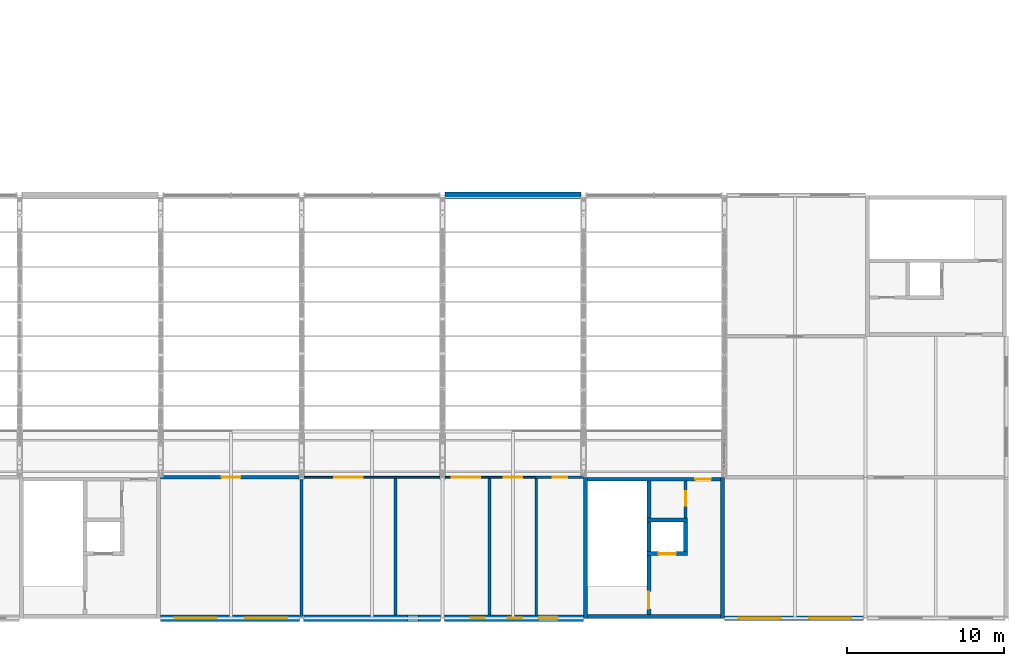
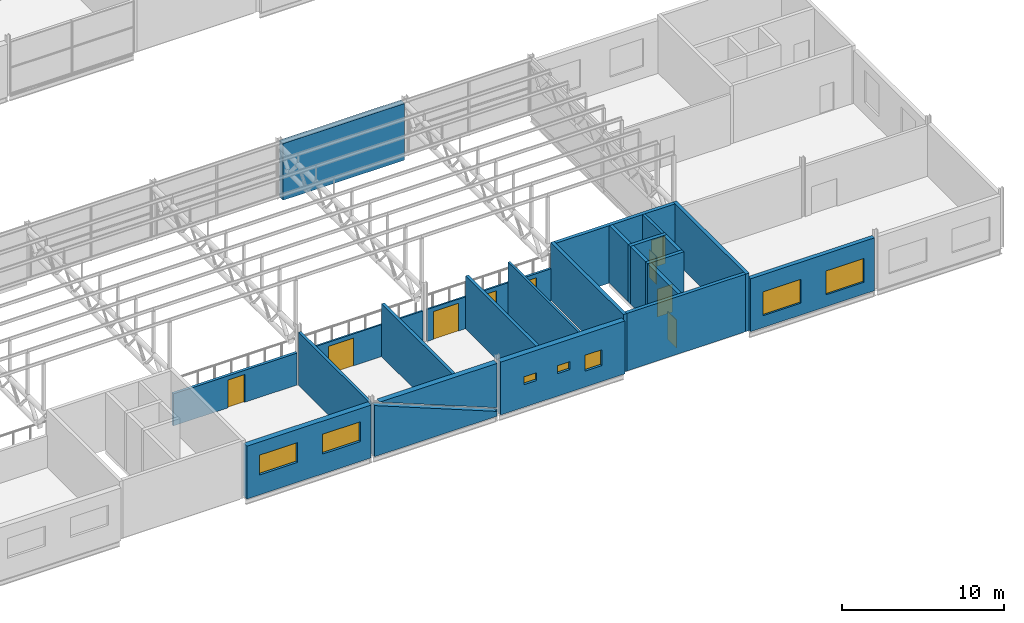
# One storey, part 126 of 138: 23 walls, 9 doors, 7 windows, 16 openings.
"""IFC4 building model written with IfcOpenShell, lengths in metres."""

import ifcopenshell
import ifcopenshell.guid

model = None  # the IFC model being written
_history = None  # IfcOwnerHistory: only IFC2X3 demands one
_inside = {}  # id of a spatial element -> (the spatial element, [elements in it])
_under = {}  # id of a project, library or spatial element -> (it, [spatial elements below it])
_declared = {}  # id of a project -> (the project, [libraries it declares])
_typed = {}  # id of a type object -> (the type object, [elements of that type])
_made_of = {}  # id of a material, layer set ... -> (it, [elements and type objects made of it])


def new_model(schema):
    """Start an empty IFC model of exactly this schema.

    Asked for "IFC4X3", IfcOpenShell would pick the latest addendum, in which some entities
    have other attributes; the version numbers below select the first issue.
    IFC2X3 requires an IfcOwnerHistory on every rooted entity: one is made here for all.
    """
    global model, _history
    if schema == "IFC4X3":
        model = ifcopenshell.file(schema_version=(4, 3, 0, 0))
    else:
        model = ifcopenshell.file(schema=schema)
    _inside.clear()
    _under.clear()
    _declared.clear()
    _typed.clear()
    _made_of.clear()
    _history = None
    if model.schema == "IFC2X3":
        org = make("IfcOrganization", Name="unknown")
        user = make(
            "IfcPersonAndOrganization",
            ThePerson=make("IfcPerson", FamilyName="unknown"),
            TheOrganization=org,
        )
        app = make(
            "IfcApplication",
            ApplicationDeveloper=org,
            Version="unknown",
            ApplicationFullName="unknown",
            ApplicationIdentifier="unknown",
        )
        _history = make(
            "IfcOwnerHistory",
            OwningUser=user,
            OwningApplication=app,
            ChangeAction="ADDED",
            CreationDate=0,
        )
    return model


def make(cls, **values):
    """One entity of the class cls with the attributes given. An attribute that is None is left unset."""
    return model.create_entity(
        cls, **{name: value for name, value in values.items() if value is not None}
    )


def rooted(cls, **values):
    """An entity with a GlobalId (a new one), such as an element, a storey or a relation."""
    return make(cls, GlobalId=ifcopenshell.guid.new(), OwnerHistory=_history, **values)


def si_unit(unit_type, name, prefix=None):
    """IfcSIUnit, for example si_unit("LENGTHUNIT", "METRE", prefix="MILLI")."""
    return make("IfcSIUnit", UnitType=unit_type, Prefix=prefix, Name=name)


def assignment(units):
    """IfcUnitAssignment: the units of a project."""
    return None if units is None else make("IfcUnitAssignment", Units=units)


def point(xyz):
    """IfcCartesianPoint."""
    return None if xyz is None else make("IfcCartesianPoint", Coordinates=xyz)


def direction(xyz):
    """IfcDirection."""
    return None if xyz is None else make("IfcDirection", DirectionRatios=xyz)


def frame(location, z_axis=None, x_axis=None):
    """IfcAxis2Placement3D, a coordinate frame: its origin and axes. An axis left out is left unset."""
    return make(
        "IfcAxis2Placement3D",
        Location=point(location),
        Axis=direction(z_axis),
        RefDirection=direction(x_axis),
    )


def frame_2d(location, x_axis=None):
    """IfcAxis2Placement2D, a coordinate frame in the plane: its origin and x axis."""
    return make(
        "IfcAxis2Placement2D", Location=point(location), RefDirection=direction(x_axis)
    )


def origin():
    """The frame at (0, 0, 0) with its axes left unset."""
    return frame((0.0, 0.0, 0.0))


def place(relative_to, where):
    """IfcLocalPlacement: puts the frame where relative to a parent placement (None: the world)."""
    return make(
        "IfcLocalPlacement", PlacementRelTo=relative_to, RelativePlacement=where
    )


def context(
    kind, dimensions, precision=None, world=None, true_north=None, identifier=None
):
    """IfcGeometricRepresentationContext, for example the 3D "Model" context."""
    return make(
        "IfcGeometricRepresentationContext",
        ContextIdentifier=identifier,
        ContextType=kind,
        CoordinateSpaceDimension=dimensions,
        Precision=precision,
        WorldCoordinateSystem=world,
        TrueNorth=true_north,
    )


def subcontext(parent, identifier, kind, view, scale=None):
    """IfcGeometricRepresentationSubContext, for example "Body" below "Model"."""
    return make(
        "IfcGeometricRepresentationSubContext",
        ContextIdentifier=identifier,
        ContextType=kind,
        ParentContext=parent,
        TargetScale=scale,
        TargetView=view,
    )


def project(units=None, contexts=None):
    """IfcProject with its units and contexts."""
    return rooted(
        "IfcProject",
        Name="project",
        RepresentationContexts=contexts,
        UnitsInContext=assignment(units),
    )


def spatial(cls, under=None, at=None, **own):
    """A site, building, storey or space (cls), placed at a placement, below another one or the project."""
    s = rooted(cls, ObjectPlacement=at, **own)
    if under is not None:
        _under.setdefault(under.id(), (under, []))[1].append(s)
    return s


def polyline(points):
    """IfcPolyline through the points."""
    return make("IfcPolyline", Points=[point(p) for p in points])


def profile(cls, at=None, kind="AREA", **sizes):
    """A parametric profile (cls). Its sizes go by their IFC names, for example OverallWidth=200.0."""
    return make(cls, ProfileType=kind, Position=at, **sizes)


def rectangle(**sizes):
    """IfcRectangleProfileDef."""
    return profile("IfcRectangleProfileDef", **sizes)


def outline(outer, holes=None, kind="AREA"):
    """IfcArbitraryClosedProfileDef: a profile drawn as a closed curve; with holes, ...WithVoids."""
    if holes is None:
        return make("IfcArbitraryClosedProfileDef", ProfileType=kind, OuterCurve=outer)
    return make(
        "IfcArbitraryProfileDefWithVoids",
        ProfileType=kind,
        OuterCurve=outer,
        InnerCurves=holes,
    )


def extrude(swept, where, along, depth):
    """IfcExtrudedAreaSolid: the profile swept, set in the frame where, extruded along a direction by depth."""
    return make(
        "IfcExtrudedAreaSolid",
        SweptArea=swept,
        Position=where,
        ExtrudedDirection=direction(along),
        Depth=depth,
    )


def shape(context_of_items, identifier, shape_type, items):
    """IfcShapeRepresentation: the items that make up one representation, for example the "Body"."""
    return make(
        "IfcShapeRepresentation",
        ContextOfItems=context_of_items,
        RepresentationIdentifier=identifier,
        RepresentationType=shape_type,
        Items=items,
    )


def material(Name=None, Category=None):
    """IfcMaterial."""
    return make("IfcMaterial", Name=Name, Category=Category)


def layer(
    of_material, thickness, ventilated=None, Name=None, Category=None, Priority=None
):
    """IfcMaterialLayer: one layer of a wall or slab, of a material (None: an air gap)."""
    return make(
        "IfcMaterialLayer",
        Material=of_material,
        LayerThickness=thickness,
        IsVentilated=ventilated,
        Name=Name,
        Category=Category,
        Priority=Priority,
    )


def layer_set(layers, Name=None):
    """IfcMaterialLayerSet."""
    return make("IfcMaterialLayerSet", MaterialLayers=layers, LayerSetName=Name)


def made_of(thing, what):
    """Note that an element or type object is made of a material, layer set ...; save() writes the relation."""
    if what is not None:
        _made_of.setdefault(what.id(), (what, []))[1].append(thing)
    return thing


def type_object(cls, material=None, **own):
    """A type object (cls), such as IfcWallType, which elements share."""
    return made_of(rooted(cls, **own), material)


def element(
    cls,
    number,
    at=None,
    inside=None,
    cuts=None,
    type_object=None,
    material=None,
    context=None,
    identifier="Body",
    shape_type=None,
    held_by="IfcProductDefinitionShape",
    body=None,
    shapes=None,
    **own,
):
    """One element of the class cls, such as IfcWall. Its Tag is "e" and its number.

    at: its placement. inside: the storey or other place that contains it. cuts: it is an
    opening in that element (IfcRelVoidsElement). A single representation is given by context,
    identifier, shape_type and body (its items); several are given by shapes. held_by: the class
    of the entity that holds the representations. save() writes the other relations.
    """
    e = rooted(cls, Tag="e%d" % number, ObjectPlacement=at, **own)
    if body is not None:
        shapes = [shape(context, identifier, shape_type, body)]
    if shapes is not None:
        e.Representation = make(held_by, Representations=shapes)
    if inside is not None:
        _inside.setdefault(inside.id(), (inside, []))[1].append(e)
    if cuts is not None:
        rooted(
            "IfcRelVoidsElement", RelatingBuildingElement=cuts, RelatedOpeningElement=e
        )
    if type_object is not None:
        _typed.setdefault(type_object.id(), (type_object, []))[1].append(e)
    return made_of(e, material)


def fill(opening, filler):
    """IfcRelFillsElement: the door or window that sits in an opening."""
    return rooted(
        "IfcRelFillsElement",
        RelatingOpeningElement=opening,
        RelatedBuildingElement=filler,
    )


def aggregate(whole, parts):
    """IfcRelAggregates: a whole, such as a stair, and the parts it consists of."""
    return rooted("IfcRelAggregates", RelatingObject=whole, RelatedObjects=parts)


def save(model, path):
    """Write the relations noted so far, then the file.

    IfcRelAggregates (storeys below a building ...), IfcRelContainedInSpatialStructure (elements
    in a storey), IfcRelDefinesByType, IfcRelAssociatesMaterial and IfcRelDeclares: one each for
    every whole, place, type object, material and project.
    """
    for whole, parts in _under.values():
        aggregate(whole, parts)
    for where, things in _inside.values():
        rooted(
            "IfcRelContainedInSpatialStructure",
            RelatedElements=things,
            RelatingStructure=where,
        )
    for kind, things in _typed.values():
        rooted("IfcRelDefinesByType", RelatedObjects=things, RelatingType=kind)
    for what, things in _made_of.values():
        rooted("IfcRelAssociatesMaterial", RelatedObjects=things, RelatingMaterial=what)
    for by, libraries in _declared.values():
        rooted("IfcRelDeclares", RelatingContext=by, RelatedDefinitions=libraries)
    model.write(path)


model = new_model("IFC4")

# Units and contexts
model_context = context("Model", 3, precision=1e-05, world=origin(), true_north=direction((0.0, 1.0)))
body_context = subcontext(model_context, "Body", "Model", "MODEL_VIEW")
ifc_project = project(units=[si_unit("LENGTHUNIT", "METRE"), si_unit("AREAUNIT", "SQUARE_METRE"), si_unit("VOLUMEUNIT", "CUBIC_METRE"), si_unit("PLANEANGLEUNIT", "RADIAN"), si_unit("MASSUNIT", "GRAM", prefix="KILO")], contexts=[model_context])

# Site, building, storey
site_placement = place(None, origin())
site = spatial("IfcSite", under=ifc_project, at=site_placement, CompositionType="ELEMENT")
building_placement = place(site_placement, origin())
building = spatial("IfcBuilding", under=site, at=building_placement, Name="Corbel Yard City Hall", CompositionType="ELEMENT")
storey_placement = place(building_placement, frame((0.0, 0.0, 10.5)))
storey = spatial("IfcBuildingStorey", under=building, at=storey_placement, Name="L02", CompositionType="ELEMENT", Elevation=10.5)

# Walls
ifc_material_1 = material(Name="Concrete N50 (50 MPa)", Category="concrete")
ifc_layer_1 = layer(ifc_material_1, 0.25)
ifc_layer_set_1 = layer_set([ifc_layer_1], Name="Concrete N50 (50 MPa)")
wall_type_1 = type_object("IfcWallType", Name="Core cell wall 250", PredefinedType="SHEAR", material=ifc_layer_set_1)
for number, where, z_axis, x_axis, name in (
    (1, (153.125, 0.0, 0.0), (0.0, 0.0, 1.0), (0.0, 1.0, 0.0), "Core PC-S4 west wall"),
    (2, (161.875, 0.0, 0.0), (0.0, 0.0, 1.0), (0.0, 1.0, 0.0), "Core PC-S4 east wall"),
):
    element("IfcWall", number, at=place(storey_placement, frame(where, z_axis=z_axis, x_axis=x_axis)), inside=storey, type_object=wall_type_1, Name=name, PredefinedType="SHEAR", context=body_context, shape_type="SweptSolid", body=[
        extrude(rectangle(XDim=9.0, YDim=0.25, at=frame_2d((4.5, 0.0))), origin(), (0.0, 0.0, 1.0), 4.35009765625),
    ])
wall_1_placement = place(storey_placement, frame((153.25, 0.125, 0.0), z_axis=(0.0, 0.0, 1.0), x_axis=(1.0, 0.0, 0.0)))
element("IfcWall", 3, at=wall_1_placement, inside=storey, type_object=wall_type_1, Name="Core PC-S4 south wall", PredefinedType="SHEAR", context=body_context, shape_type="SweptSolid", body=[
    extrude(rectangle(XDim=8.5, YDim=0.25, at=frame_2d((4.25, 0.0))), origin(), (0.0, 0.0, 1.0), 4.35009765625),
])

# Wall, opening, door
wall_2_placement = place(storey_placement, frame((153.25, 8.875, 0.0), z_axis=(0.0, 0.0, 1.0), x_axis=(1.0, 0.0, 0.0)))
wall_2 = element("IfcWall", 4, at=wall_2_placement, inside=storey, type_object=wall_type_1, Name="Core PC-S4 north wall", PredefinedType="SHEAR", context=body_context, shape_type="SweptSolid", body=[
    extrude(rectangle(XDim=8.5, YDim=0.25, at=frame_2d((4.25, 0.0))), origin(), (0.0, 0.0, 1.0), 4.35009765625),
])
opening_1_placement = place(wall_2_placement, frame((6.887451171875, 0.0, 0.0)))
opening_1 = element("IfcOpeningElement", 5, at=opening_1_placement, cuts=wall_2, Name="Opening L02-027", PredefinedType="OPENING", context=body_context, shape_type="SweptSolid", body=[
    extrude(rectangle(XDim=1.0, YDim=2.10009765625, at=frame_2d((0.5, 1.050048828125))), frame((0.0, 0.135009765625, 0.0), z_axis=(0.0, -1.0, 0.0), x_axis=(1.0, 0.0, 0.0)), (0.0, 0.0, 1.0), 0.27001953125),
])
ifc_material_2 = material(Name="Steel Grade G250", Category="steel")
door_type_1 = type_object("IfcDoorType", Name="FS1", OperationType="SINGLE_SWING_LEFT", PredefinedType="DOOR", material=ifc_material_2)
door_1_placement = place(opening_1_placement, frame((1.0, 0.0, 0.0), z_axis=(0.0, 0.0, 1.0), x_axis=(-1.0, 0.0, 0.0)))
door_1 = element("IfcDoor", 6, at=door_1_placement, inside=storey, type_object=door_type_1, Name="Door Lift Lobby", OperationType="SINGLE_SWING_RIGHT", OverallHeight=2.10009765625, OverallWidth=1.0, PredefinedType="DOOR", context=body_context, shape_type="SweptSolid", body=[
    extrude(rectangle(XDim=1.0, YDim=2.10009765625, at=frame_2d((0.5, 1.050048828125))), frame((0.0, 0.02490234375, 0.0), z_axis=(0.0, -1.0, 0.0), x_axis=(1.0, 0.0, 0.0)), (0.0, 0.0, 1.0), 0.050048828125),
])
fill(opening_1, door_1)

# Wall, openings, windows
ifc_material_3 = material(Name="Sandstone cladding", Category="masonry")
ifc_layer_2 = layer(ifc_material_3, 0.0400390625)
ifc_material_4 = material(Name="Air cavity", Category="air")
ifc_layer_3 = layer(ifc_material_4, 0.0400390625)
ifc_material_5 = material(Name="Concrete block", Category="concrete")
ifc_layer_4 = layer(ifc_material_5, 0.18994140625)
ifc_material_6 = material(Name="Gypsum plasterboard", Category="gypsum")
ifc_layer_5 = layer(ifc_material_6, 0.030029296875)
ifc_layer_set_2 = layer_set([ifc_layer_2, ifc_layer_3, ifc_layer_4, ifc_layer_5], Name="Concrete block")
wall_type_2 = type_object("IfcWallType", Name="EW1", PredefinedType="SOLIDWALL", material=ifc_layer_set_2)
wall_3_placement = place(storey_placement, frame((162.0, 0.0, 0.0), z_axis=(0.0, 0.0, 1.0), x_axis=(1.0, 0.0, 0.0)))
wall_3 = element("IfcWall", 7, at=wall_3_placement, inside=storey, type_object=wall_type_2, Name="External wall", PredefinedType="SOLIDWALL", context=body_context, shape_type="SweptSolid", body=[
    extrude(rectangle(XDim=8.873046875, YDim=0.300048828125, at=frame_2d((4.4365234375, 0.0))), origin(), (0.0, 0.0, 1.0), 3.990966796875),
])
opening_2_placement = place(wall_3_placement, frame((0.89990234375, 0.0, 0.89990234375)))
opening_2 = element("IfcOpeningElement", 8, at=opening_2_placement, cuts=wall_3, Name="Opening WN16", PredefinedType="OPENING", context=body_context, shape_type="SweptSolid", body=[
    extrude(rectangle(XDim=2.699951171875, YDim=1.800048828125, at=frame_2d((1.35009765625, 0.89990234375))), frame((0.0, 0.159912109375, 0.0), z_axis=(0.0, -1.0, 0.0), x_axis=(1.0, 0.0, 0.0)), (0.0, 0.0, 1.0), 0.320068359375),
])
opening_3_placement = place(wall_3_placement, frame((5.39990234375, 0.0, 0.89990234375)))
opening_3 = element("IfcOpeningElement", 9, at=opening_3_placement, cuts=wall_3, Name="Opening WN16", PredefinedType="OPENING", context=body_context, shape_type="SweptSolid", body=[
    extrude(rectangle(XDim=2.699951171875, YDim=1.800048828125, at=frame_2d((1.35009765625, 0.89990234375))), frame((0.0, 0.159912109375, 0.0), z_axis=(0.0, -1.0, 0.0), x_axis=(1.0, 0.0, 0.0)), (0.0, 0.0, 1.0), 0.320068359375),
])
ifc_material_7 = material(Name="Aluminium frame, double glazed low-e glass", Category="aluminium")
window_type_1 = type_object("IfcWindowType", Name="WN16", PartitioningType="SINGLE_PANEL", PredefinedType="WINDOW", material=ifc_material_7)
window_1_placement = place(opening_2_placement, origin())
window_1 = element("IfcWindow", 10, at=window_1_placement, inside=storey, type_object=window_type_1, Name="Window WN16 L02", OverallHeight=1.800048828125, OverallWidth=2.699951171875, PartitioningType="SINGLE_PANEL", PredefinedType="WINDOW", context=body_context, shape_type="SweptSolid", body=[
    extrude(rectangle(XDim=2.699951171875, YDim=1.800048828125, at=frame_2d((1.35009765625, 0.89990234375))), frame((0.0, 0.030029296875, 0.0), z_axis=(0.0, -1.0, 0.0), x_axis=(1.0, 0.0, 0.0)), (0.0, 0.0, 1.0), 0.06005859375),
])
fill(opening_2, window_1)
window_2_placement = place(opening_3_placement, origin())
window_2 = element("IfcWindow", 11, at=window_2_placement, inside=storey, type_object=window_type_1, Name="Window WN16 L02", OverallHeight=1.800048828125, OverallWidth=2.699951171875, PartitioningType="SINGLE_PANEL", PredefinedType="WINDOW", context=body_context, shape_type="SweptSolid", body=[
    extrude(rectangle(XDim=2.699951171875, YDim=1.800048828125, at=frame_2d((1.35009765625, 0.89990234375))), frame((0.0, 0.030029296875, 0.0), z_axis=(0.0, -1.0, 0.0), x_axis=(1.0, 0.0, 0.0)), (0.0, 0.0, 1.0), 0.06005859375),
])
fill(opening_3, window_2)

# Wall
ifc_layer_6 = layer(ifc_material_3, 0.06005859375)
ifc_layer_7 = layer(ifc_material_4, 0.0400390625)
ifc_material_8 = material(Name="Concrete N40 (40 MPa)", Category="concrete")
ifc_layer_8 = layer(ifc_material_8, 0.25)
ifc_material_9 = material(Name="Mineral wool", Category="insulation")
ifc_layer_9 = layer(ifc_material_9, 0.10009765625)
ifc_layer_set_3 = layer_set([ifc_layer_6, ifc_layer_7, ifc_layer_8, ifc_layer_9], Name="Concrete N40 (40 MPa)")
wall_type_3 = type_object("IfcWallType", Name="EW2", PredefinedType="SOLIDWALL", material=ifc_layer_set_3)
wall_4_placement = place(storey_placement, frame((144.154052734375, 27.0, -0.14990234375), z_axis=(0.0, 0.0, 1.0), x_axis=(1.0, 0.0, 0.0)))
element("IfcWall", 12, at=wall_4_placement, inside=storey, type_object=wall_type_3, Name="Entrance pier wall", PredefinedType="SOLIDWALL", context=body_context, shape_type="SweptSolid", body=[
    extrude(rectangle(XDim=8.69189453125, YDim=0.449951171875, at=frame_2d((4.345947265625, 0.0))), origin(), (0.0, 0.0, 1.0), 4.271484375),
])

# Wall, openings, windows
ifc_layer_10 = layer(ifc_material_6, 0.031982421875)
ifc_layer_11 = layer(ifc_material_4, 0.133056640625)
ifc_layer_12 = layer(ifc_material_5, 0.18994140625)
ifc_material_10 = material(Name="Cement render", Category="render")
ifc_layer_13 = layer(ifc_material_10, 0.0400390625)
ifc_material_11 = material(Name="Acoustic sealant", Category="sealant")
ifc_layer_14 = layer(ifc_material_11, 0.0048828125)
ifc_layer_set_4 = layer_set([ifc_layer_10, ifc_layer_11, ifc_layer_12, ifc_layer_13, ifc_layer_14], Name="Concrete block")
wall_type_4 = type_object("IfcWallType", Name="EW3", PredefinedType="SOLIDWALL", material=ifc_layer_set_4)
wall_5_placement = place(storey_placement, frame((126.0, 0.0, 0.0), z_axis=(0.0, 0.0, 1.0), x_axis=(1.0, 0.0, 0.0)))
wall_5 = element("IfcWall", 13, at=wall_5_placement, inside=storey, type_object=wall_type_4, Name="Acoustic wall", PredefinedType="SOLIDWALL", context=body_context, shape_type="SweptSolid", body=[
    extrude(rectangle(XDim=8.873046875, YDim=0.39990234375, at=frame_2d((4.4365234375, 0.0))), origin(), (0.0, 0.0, 1.0), 3.990966796875),
])
opening_4_placement = place(wall_5_placement, frame((0.89990234375, 0.0, 1.5)))
opening_4 = element("IfcOpeningElement", 14, at=opening_4_placement, cuts=wall_5, Name="Opening WN3", PredefinedType="OPENING", context=body_context, shape_type="SweptSolid", body=[
    extrude(rectangle(XDim=2.699951171875, YDim=1.5, at=frame_2d((1.35009765625, 0.75))), frame((0.0, 0.2099609375, 0.0), z_axis=(0.0, -1.0, 0.0), x_axis=(1.0, 0.0, 0.0)), (0.0, 0.0, 1.0), 0.419921875),
])
opening_5_placement = place(wall_5_placement, frame((5.39990234375, 0.0, 1.5)))
opening_5 = element("IfcOpeningElement", 15, at=opening_5_placement, cuts=wall_5, Name="Opening WN3", PredefinedType="OPENING", context=body_context, shape_type="SweptSolid", body=[
    extrude(rectangle(XDim=2.699951171875, YDim=1.5, at=frame_2d((1.35009765625, 0.75))), frame((0.0, 0.2099609375, 0.0), z_axis=(0.0, -1.0, 0.0), x_axis=(1.0, 0.0, 0.0)), (0.0, 0.0, 1.0), 0.419921875),
])
ifc_material_12 = material(Name="Aluminium frame, laminated acoustic glass", Category="aluminium")
window_type_2 = type_object("IfcWindowType", Name="WN3", PartitioningType="SINGLE_PANEL", PredefinedType="WINDOW", material=ifc_material_12)
window_3_placement = place(opening_4_placement, origin())
window_3 = element("IfcWindow", 16, at=window_3_placement, inside=storey, type_object=window_type_2, Name="Window WN3 L02", OverallHeight=1.5, OverallWidth=2.699951171875, PartitioningType="SINGLE_PANEL", PredefinedType="WINDOW", context=body_context, shape_type="SweptSolid", body=[
    extrude(rectangle(XDim=2.699951171875, YDim=1.5, at=frame_2d((1.35009765625, 0.75))), frame((0.0, 0.030029296875, 0.0), z_axis=(0.0, -1.0, 0.0), x_axis=(1.0, 0.0, 0.0)), (0.0, 0.0, 1.0), 0.06005859375),
])
fill(opening_4, window_3)
window_4_placement = place(opening_5_placement, origin())
window_4 = element("IfcWindow", 17, at=window_4_placement, inside=storey, type_object=window_type_2, Name="Window WN3 L02", OverallHeight=1.5, OverallWidth=2.699951171875, PartitioningType="SINGLE_PANEL", PredefinedType="WINDOW", context=body_context, shape_type="SweptSolid", body=[
    extrude(rectangle(XDim=2.699951171875, YDim=1.5, at=frame_2d((1.35009765625, 0.75))), frame((0.0, 0.030029296875, 0.0), z_axis=(0.0, -1.0, 0.0), x_axis=(1.0, 0.0, 0.0)), (0.0, 0.0, 1.0), 0.06005859375),
])
fill(opening_5, window_4)

# Walls
wall_6_placement = place(storey_placement, frame((135.126953125, 0.0, 0.0), z_axis=(0.0, 0.0, 1.0), x_axis=(1.0, 0.0, 0.0)))
element("IfcWall", 18, at=wall_6_placement, inside=storey, type_object=wall_type_4, Name="Acoustic wall", PredefinedType="SOLIDWALL", context=body_context, shape_type="SweptSolid", body=[
    extrude(outline(polyline([(8.74609375, 0.0), (0.0, 0.0), (0.0, 3.8603515625), (8.69775390625, 0.379638671875), (8.74609375, 0.5), (8.74609375, 0.0)])), frame((0.0, 0.199951171875, 0.0), z_axis=(0.0, -1.0, 0.0), x_axis=(1.0, 0.0, 0.0)), (0.0, 0.0, 1.0), 0.39990234375),
])
wall_7_placement = place(storey_placement, frame((135.126953125, 0.0, 0.0), z_axis=(0.0, 0.0, 1.0), x_axis=(1.0, 0.0, 0.0)))
element("IfcWall", 19, at=wall_7_placement, inside=storey, type_object=wall_type_4, Name="Acoustic wall", PredefinedType="SOLIDWALL", context=body_context, shape_type="SweptSolid", body=[
    extrude(outline(polyline([(8.74609375, 3.990966796875), (8.74609375, 0.6396484375), (0.37109375, 3.990966796875), (8.74609375, 3.990966796875)])), frame((0.0, 0.199951171875, 0.0), z_axis=(0.0, -1.0, 0.0), x_axis=(1.0, 0.0, 0.0)), (0.0, 0.0, 1.0), 0.39990234375),
])

# Wall, openings, windows
wall_8_placement = place(storey_placement, frame((144.126953125, 0.0, 0.0), z_axis=(0.0, 0.0, 1.0), x_axis=(1.0, 0.0, 0.0)))
wall_8 = element("IfcWall", 20, at=wall_8_placement, inside=storey, type_object=wall_type_4, Name="Acoustic wall", PredefinedType="SOLIDWALL", context=body_context, shape_type="SweptSolid", body=[
    extrude(rectangle(XDim=8.873046875, YDim=0.39990234375, at=frame_2d((4.4365234375, 0.0))), origin(), (0.0, 0.0, 1.0), 3.990966796875),
])
opening_6_placement = place(wall_8_placement, frame((1.673095703125, 0.0, 1.699951171875)))
opening_6 = element("IfcOpeningElement", 21, at=opening_6_placement, cuts=wall_8, Name="Opening WN10", PredefinedType="OPENING", context=body_context, shape_type="SweptSolid", body=[
    extrude(rectangle(XDim=0.89990234375, YDim=0.60009765625, at=frame_2d((0.449951171875, 0.300048828125))), frame((0.0, 0.2099609375, 0.0), z_axis=(0.0, -1.0, 0.0), x_axis=(1.0, 0.0, 0.0)), (0.0, 0.0, 1.0), 0.419921875),
])
opening_7_placement = place(wall_8_placement, frame((6.02294921875, 0.0, 1.199951171875)))
opening_7 = element("IfcOpeningElement", 22, at=opening_7_placement, cuts=wall_8, Name="Opening WN13", PredefinedType="OPENING", context=body_context, shape_type="SweptSolid", body=[
    extrude(rectangle(XDim=1.199951171875, YDim=1.199951171875, at=frame_2d((0.60009765625, 0.60009765625))), frame((0.0, 0.2099609375, 0.0), z_axis=(0.0, -1.0, 0.0), x_axis=(1.0, 0.0, 0.0)), (0.0, 0.0, 1.0), 0.419921875),
])
opening_8_placement = place(wall_8_placement, frame((4.050048828125, 0.0, 1.699951171875)))
opening_8 = element("IfcOpeningElement", 23, at=opening_8_placement, cuts=wall_8, Name="Opening WN10", PredefinedType="OPENING", context=body_context, shape_type="SweptSolid", body=[
    extrude(rectangle(XDim=0.89990234375, YDim=0.60009765625, at=frame_2d((0.449951171875, 0.300048828125))), frame((0.0, 0.2099609375, 0.0), z_axis=(0.0, -1.0, 0.0), x_axis=(1.0, 0.0, 0.0)), (0.0, 0.0, 1.0), 0.419921875),
])
ifc_material_13 = material(Name="Aluminium frame, obscure laminated glass", Category="aluminium")
window_type_3 = type_object("IfcWindowType", Name="WN10", PartitioningType="SINGLE_PANEL", PredefinedType="WINDOW", material=ifc_material_13)
window_5_placement = place(opening_6_placement, origin())
window_5 = element("IfcWindow", 24, at=window_5_placement, inside=storey, type_object=window_type_3, Name="Window WN10 L02", OverallHeight=0.60009765625, OverallWidth=0.89990234375, PartitioningType="SINGLE_PANEL", PredefinedType="WINDOW", context=body_context, shape_type="SweptSolid", body=[
    extrude(rectangle(XDim=0.89990234375, YDim=0.60009765625, at=frame_2d((0.449951171875, 0.300048828125))), frame((0.0, 0.030029296875, 0.0), z_axis=(0.0, -1.0, 0.0), x_axis=(1.0, 0.0, 0.0)), (0.0, 0.0, 1.0), 0.06005859375),
])
fill(opening_6, window_5)
window_6_placement = place(opening_8_placement, origin())
window_6 = element("IfcWindow", 25, at=window_6_placement, inside=storey, type_object=window_type_3, Name="Window WN10 L02", OverallHeight=0.60009765625, OverallWidth=0.89990234375, PartitioningType="SINGLE_PANEL", PredefinedType="WINDOW", context=body_context, shape_type="SweptSolid", body=[
    extrude(rectangle(XDim=0.89990234375, YDim=0.60009765625, at=frame_2d((0.449951171875, 0.300048828125))), frame((0.0, 0.030029296875, 0.0), z_axis=(0.0, -1.0, 0.0), x_axis=(1.0, 0.0, 0.0)), (0.0, 0.0, 1.0), 0.06005859375),
])
fill(opening_8, window_6)
window_type_4 = type_object("IfcWindowType", Name="WN13", PartitioningType="SINGLE_PANEL", PredefinedType="WINDOW", material=ifc_material_7)
window_7_placement = place(opening_7_placement, origin())
window_7 = element("IfcWindow", 26, at=window_7_placement, inside=storey, type_object=window_type_4, Name="Window WN13 L02", OverallHeight=1.199951171875, OverallWidth=1.199951171875, PartitioningType="SINGLE_PANEL", PredefinedType="WINDOW", context=body_context, shape_type="SweptSolid", body=[
    extrude(rectangle(XDim=1.199951171875, YDim=1.199951171875, at=frame_2d((0.60009765625, 0.60009765625))), frame((0.0, 0.030029296875, 0.0), z_axis=(0.0, -1.0, 0.0), x_axis=(1.0, 0.0, 0.0)), (0.0, 0.0, 1.0), 0.06005859375),
])
fill(opening_7, window_7)

# Wall, opening, door
ifc_layer_15 = layer(ifc_material_8, 0.25)
ifc_layer_set_5 = layer_set([ifc_layer_15], Name="Concrete N40 (40 MPa)")
wall_type_5 = type_object("IfcWallType", Name="IW2", PredefinedType="SOLIDWALL", material=ifc_layer_set_5)
wall_9_placement = place(storey_placement, frame((157.175048828125, 0.25, 0.0), z_axis=(0.0, 0.0, 1.0), x_axis=(0.0, 1.0, 0.0)))
wall_9 = element("IfcWall", 27, at=wall_9_placement, inside=storey, type_object=wall_type_5, Name="Stair enclosure wall", PredefinedType="SOLIDWALL", context=body_context, shape_type="SweptSolid", body=[
    extrude(rectangle(XDim=8.5, YDim=0.25, at=frame_2d((4.25, 0.0))), origin(), (0.0, 0.0, 1.0), 4.35009765625),
])
opening_9_placement = place(wall_9_placement, frame((0.35009765625, 0.0, 0.0)))
opening_9 = element("IfcOpeningElement", 28, at=opening_9_placement, cuts=wall_9, Name="Opening L02-026", PredefinedType="OPENING", context=body_context, shape_type="SweptSolid", body=[
    extrude(rectangle(XDim=1.10009765625, YDim=2.10009765625, at=frame_2d((0.550048828125, 1.050048828125))), frame((0.0, 0.135009765625, 0.0), z_axis=(0.0, -1.0, 0.0), x_axis=(1.0, 0.0, 0.0)), (0.0, 0.0, 1.0), 0.27001953125),
])
door_type_2 = type_object("IfcDoorType", Name="FS11", OperationType="SINGLE_SWING_LEFT", PredefinedType="DOOR", material=ifc_material_2)
door_2_placement = place(opening_9_placement, origin())
door_2 = element("IfcDoor", 29, at=door_2_placement, inside=storey, type_object=door_type_2, Name="Door Exit Stair 5", OperationType="SINGLE_SWING_LEFT", OverallHeight=2.10009765625, OverallWidth=1.10009765625, PredefinedType="DOOR", context=body_context, shape_type="SweptSolid", body=[
    extrude(rectangle(XDim=1.10009765625, YDim=2.10009765625, at=frame_2d((0.550048828125, 1.050048828125))), frame((0.0, 0.02490234375, 0.0), z_axis=(0.0, -1.0, 0.0), x_axis=(1.0, 0.0, 0.0)), (0.0, 0.0, 1.0), 0.050048828125),
])
fill(opening_9, door_2)

wall_10_placement = place(storey_placement, frame((157.050048828125, 4.125, 0.0), z_axis=(0.0, 0.0, 1.0), x_axis=(1.0, 0.0, 0.0)))
wall_10 = element("IfcWall", 30, at=wall_10_placement, inside=storey, type_object=wall_type_5, Name="Lift LP5 shaft wall", PredefinedType="SOLIDWALL", context=body_context, shape_type="SweptSolid", body=[
    extrude(rectangle(XDim=2.599853515625, YDim=0.25, at=frame_2d((1.2998046875, 0.0))), origin(), (0.0, 0.0, 1.0), 4.35009765625),
])
opening_10_placement = place(wall_10_placement, frame((0.75, 0.0, 0.0)))
opening_10 = element("IfcOpeningElement", 31, at=opening_10_placement, cuts=wall_10, Name="Opening L02-005", PredefinedType="OPENING", context=body_context, shape_type="SweptSolid", body=[
    extrude(rectangle(XDim=1.10009765625, YDim=2.10009765625, at=frame_2d((0.550048828125, 1.050048828125))), frame((0.0, 0.135009765625, 0.0), z_axis=(0.0, -1.0, 0.0), x_axis=(1.0, 0.0, 0.0)), (0.0, 0.0, 1.0), 0.27001953125),
])
ifc_material_14 = material(Name="Stainless steel Grade 316", Category="steel")
door_type_3 = type_object("IfcDoorType", Name="LD1", OperationType="DOUBLE_DOOR_SLIDING", PredefinedType="DOOR", material=ifc_material_14)
door_3_placement = place(opening_10_placement, origin())
door_3 = element("IfcDoor", 32, at=door_3_placement, inside=storey, type_object=door_type_3, Name="Lift LP5 landing door", OperationType="DOUBLE_DOOR_SLIDING", OverallHeight=2.10009765625, OverallWidth=1.10009765625, PredefinedType="DOOR", context=body_context, shape_type="SweptSolid", body=[
    extrude(rectangle(XDim=1.10009765625, YDim=2.10009765625, at=frame_2d((0.550048828125, 1.050048828125))), frame((0.0, 0.02490234375, 0.0), z_axis=(0.0, -1.0, 0.0), x_axis=(1.0, 0.0, 0.0)), (0.0, 0.0, 1.0), 0.050048828125),
])
fill(opening_10, door_3)

# Walls
wall_11_placement = place(storey_placement, frame((157.050048828125, 6.27490234375, 0.0), z_axis=(0.0, 0.0, 1.0), x_axis=(1.0, 0.0, 0.0)))
element("IfcWall", 33, at=wall_11_placement, inside=storey, type_object=wall_type_5, Name="Lift LP5 shaft wall", PredefinedType="SOLIDWALL", context=body_context, shape_type="SweptSolid", body=[
    extrude(rectangle(XDim=2.599853515625, YDim=0.25, at=frame_2d((1.2998046875, 0.0))), origin(), (0.0, 0.0, 1.0), 4.35009765625),
])
wall_12_placement = place(storey_placement, frame((159.52490234375, 4.25, 0.0), z_axis=(0.0, 0.0, 1.0), x_axis=(0.0, 1.0, 0.0)))
element("IfcWall", 34, at=wall_12_placement, inside=storey, type_object=wall_type_5, Name="Lift LP5 shaft wall", PredefinedType="SOLIDWALL", context=body_context, shape_type="SweptSolid", body=[
    extrude(rectangle(XDim=1.89990234375, YDim=0.25, at=frame_2d((0.949951171875, 0.0))), origin(), (0.0, 0.0, 1.0), 4.35009765625),
])

# Wall, opening, door
ifc_layer_16 = layer(ifc_material_6, 0.028076171875)
ifc_material_15 = material(Name="Steel Grade G550 (550 MPa yield)", Category="steel")
ifc_layer_17 = layer(ifc_material_15, 0.06396484375)
ifc_layer_18 = layer(ifc_material_6, 0.028076171875)
ifc_layer_set_6 = layer_set([ifc_layer_16, ifc_layer_17, ifc_layer_18], Name="Steel Grade G550 (550 MPa yield)")
wall_type_6 = type_object("IfcWallType", Name="PT1", PredefinedType="PARTITIONING", material=ifc_layer_set_6)
wall_13_placement = place(storey_placement, frame((135.154052734375, 9.0, 0.0), z_axis=(0.0, 0.0, 1.0), x_axis=(1.0, 0.0, 0.0)))
wall_13 = element("IfcWall", 35, at=wall_13_placement, inside=storey, type_object=wall_type_6, Name="Partition", PredefinedType="PARTITIONING", context=body_context, shape_type="SweptSolid", body=[
    extrude(rectangle(XDim=8.69189453125, YDim=0.1201171875, at=frame_2d((4.345947265625, 0.0))), origin(), (0.0, 0.0, 1.0), 2.414306640625),
])
opening_11_placement = place(wall_13_placement, frame((1.946044921875, 0.0, 0.0)))
opening_11 = element("IfcOpeningElement", 36, at=opening_11_placement, cuts=wall_13, Name="Opening L02-038", PredefinedType="OPENING", context=body_context, shape_type="SweptSolid", body=[
    extrude(rectangle(XDim=1.800048828125, YDim=2.10009765625, at=frame_2d((0.89990234375, 1.050048828125))), frame((0.0, 0.070068359375, 0.0), z_axis=(0.0, -1.0, 0.0), x_axis=(1.0, 0.0, 0.0)), (0.0, 0.0, 1.0), 0.14013671875),
])
ifc_material_16 = material(Name="Timber", Category="wood")
door_type_4 = type_object("IfcDoorType", Name="D3", OperationType="DOUBLE_DOOR_SINGLE_SWING", PredefinedType="DOOR", material=ifc_material_16)
door_4_placement = place(opening_11_placement, origin())
door_4 = element("IfcDoor", 37, at=door_4_placement, inside=storey, type_object=door_type_4, Name="Door Women's WC Block", OperationType="DOUBLE_DOOR_SINGLE_SWING", OverallHeight=2.10009765625, OverallWidth=1.800048828125, PredefinedType="DOOR", context=body_context, shape_type="SweptSolid", body=[
    extrude(rectangle(XDim=1.800048828125, YDim=2.10009765625, at=frame_2d((0.89990234375, 1.050048828125))), frame((0.0, 0.02490234375, 0.0), z_axis=(0.0, -1.0, 0.0), x_axis=(1.0, 0.0, 0.0)), (0.0, 0.0, 1.0), 0.050048828125),
])
fill(opening_11, door_4)

# Wall, openings, doors
wall_14_placement = place(storey_placement, frame((144.154052734375, 9.0, 0.0), z_axis=(0.0, 0.0, 1.0), x_axis=(1.0, 0.0, 0.0)))
wall_14 = element("IfcWall", 38, at=wall_14_placement, inside=storey, type_object=wall_type_6, Name="Partition", PredefinedType="PARTITIONING", context=body_context, shape_type="SweptSolid", body=[
    extrude(rectangle(XDim=5.765869140625, YDim=0.1201171875, at=frame_2d((2.8828125, 0.0))), origin(), (0.0, 0.0, 1.0), 2.414306640625),
])
opening_12_placement = place(wall_14_placement, frame((0.446044921875, 0.0, 0.0)))
opening_12 = element("IfcOpeningElement", 39, at=opening_12_placement, cuts=wall_14, Name="Opening L02-039", PredefinedType="OPENING", context=body_context, shape_type="SweptSolid", body=[
    extrude(rectangle(XDim=1.800048828125, YDim=2.10009765625, at=frame_2d((0.89990234375, 1.050048828125))), frame((0.0, 0.070068359375, 0.0), z_axis=(0.0, -1.0, 0.0), x_axis=(1.0, 0.0, 0.0)), (0.0, 0.0, 1.0), 0.14013671875),
])
opening_13_placement = place(wall_14_placement, frame((3.74609375, 0.0, 0.0)))
opening_13 = element("IfcOpeningElement", 40, at=opening_13_placement, cuts=wall_14, Name="Opening L02-040", PredefinedType="OPENING", context=body_context, shape_type="SweptSolid", body=[
    extrude(rectangle(XDim=1.199951171875, YDim=2.10009765625, at=frame_2d((0.60009765625, 1.050048828125))), frame((0.0, 0.070068359375, 0.0), z_axis=(0.0, -1.0, 0.0), x_axis=(1.0, 0.0, 0.0)), (0.0, 0.0, 1.0), 0.14013671875),
])
door_5_placement = place(opening_12_placement, origin())
door_5 = element("IfcDoor", 41, at=door_5_placement, inside=storey, type_object=door_type_4, Name="Door Men's WC Block", OperationType="DOUBLE_DOOR_SINGLE_SWING", OverallHeight=2.10009765625, OverallWidth=1.800048828125, PredefinedType="DOOR", context=body_context, shape_type="SweptSolid", body=[
    extrude(rectangle(XDim=1.800048828125, YDim=2.10009765625, at=frame_2d((0.89990234375, 1.050048828125))), frame((0.0, 0.02490234375, 0.0), z_axis=(0.0, -1.0, 0.0), x_axis=(1.0, 0.0, 0.0)), (0.0, 0.0, 1.0), 0.050048828125),
])
fill(opening_12, door_5)
door_type_5 = type_object("IfcDoorType", Name="D7", OperationType="SINGLE_SWING_LEFT", PredefinedType="DOOR", material=ifc_material_16)
door_6_placement = place(opening_13_placement, frame((1.199951171875, 0.0, 0.0), z_axis=(0.0, 0.0, 1.0), x_axis=(-1.0, 0.0, 0.0)))
door_6 = element("IfcDoor", 42, at=door_6_placement, inside=storey, type_object=door_type_5, Name="Door Accessible WC", OperationType="SINGLE_SWING_RIGHT", OverallHeight=2.10009765625, OverallWidth=1.199951171875, PredefinedType="DOOR", context=body_context, shape_type="SweptSolid", body=[
    extrude(rectangle(XDim=1.199951171875, YDim=2.10009765625, at=frame_2d((0.60009765625, 1.050048828125))), frame((0.0, 0.02490234375, 0.0), z_axis=(0.0, -1.0, 0.0), x_axis=(1.0, 0.0, 0.0)), (0.0, 0.0, 1.0), 0.050048828125),
])
fill(opening_13, door_6)

# Wall, opening, door
ifc_layer_19 = layer(ifc_material_6, 0.031982421875)
ifc_layer_20 = layer(ifc_material_15, 0.135986328125)
ifc_layer_21 = layer(ifc_material_6, 0.031982421875)
ifc_layer_set_7 = layer_set([ifc_layer_19, ifc_layer_20, ifc_layer_21], Name="Steel Grade G550 (550 MPa yield)")
wall_type_7 = type_object("IfcWallType", Name="PT2", PredefinedType="PARTITIONING", material=ifc_layer_set_7)
wall_15_placement = place(storey_placement, frame((126.0, 9.0, 0.0), z_axis=(0.0, 0.0, 1.0), x_axis=(1.0, 0.0, 0.0)))
wall_15 = element("IfcWall", 43, at=wall_15_placement, inside=storey, type_object=wall_type_7, Name="Acoustic wall", PredefinedType="PARTITIONING", context=body_context, shape_type="SweptSolid", body=[
    extrude(rectangle(XDim=8.845947265625, YDim=0.199951171875, at=frame_2d((4.4228515625, 0.0))), origin(), (0.0, 0.0, 1.0), 2.414306640625),
])
opening_14_placement = place(wall_15_placement, frame((3.89990234375, 0.0, 0.0)))
opening_14 = element("IfcOpeningElement", 44, at=opening_14_placement, cuts=wall_15, Name="Opening L02-037", PredefinedType="OPENING", context=body_context, shape_type="SweptSolid", body=[
    extrude(rectangle(XDim=1.199951171875, YDim=2.10009765625, at=frame_2d((0.60009765625, 1.050048828125))), frame((0.0, 0.10986328125, 0.0), z_axis=(0.0, -1.0, 0.0), x_axis=(1.0, 0.0, 0.0)), (0.0, 0.0, 1.0), 0.219970703125),
])
door_7_placement = place(opening_14_placement, frame((1.199951171875, 0.0, 0.0), z_axis=(0.0, 0.0, 1.0), x_axis=(-1.0, 0.0, 0.0)))
door_7 = element("IfcDoor", 45, at=door_7_placement, inside=storey, type_object=door_type_5, Name="Door Training Room 4", OperationType="SINGLE_SWING_LEFT", OverallHeight=2.10009765625, OverallWidth=1.199951171875, PredefinedType="DOOR", context=body_context, shape_type="SweptSolid", body=[
    extrude(rectangle(XDim=1.199951171875, YDim=2.10009765625, at=frame_2d((0.60009765625, 1.050048828125))), frame((0.0, 0.02490234375, 0.0), z_axis=(0.0, -1.0, 0.0), x_axis=(1.0, 0.0, 0.0)), (0.0, 0.0, 1.0), 0.050048828125),
])
fill(opening_14, door_7)

# Wall
wall_16_placement = place(storey_placement, frame((135.0, 0.126953125, 0.0), z_axis=(0.0, 0.0, 1.0), x_axis=(0.0, 1.0, 0.0)))
element("IfcWall", 46, at=wall_16_placement, inside=storey, type_object=wall_type_7, Name="Acoustic wall", PredefinedType="PARTITIONING", context=body_context, shape_type="SweptSolid", body=[
    extrude(rectangle(XDim=8.718994140625, YDim=0.199951171875, at=frame_2d((4.359375, 0.0))), origin(), (0.0, 0.0, 1.0), 3.998046875),
])

# Wall, opening, door
ifc_layer_22 = layer(ifc_material_6, 0.031982421875)
ifc_layer_23 = layer(ifc_material_15, 0.095947265625)
ifc_layer_24 = layer(ifc_material_6, 0.031982421875)
ifc_layer_set_8 = layer_set([ifc_layer_22, ifc_layer_23, ifc_layer_24], Name="Steel Grade G550 (550 MPa yield)")
wall_type_8 = type_object("IfcWallType", Name="PT3", PredefinedType="PARTITIONING", material=ifc_layer_set_8)
wall_17_placement = place(storey_placement, frame((149.919921875, 9.0, 0.0), z_axis=(0.0, 0.0, 1.0), x_axis=(1.0, 0.0, 0.0)))
wall_17 = element("IfcWall", 47, at=wall_17_placement, inside=storey, type_object=wall_type_8, Name="Fire-resisting wall", PredefinedType="PARTITIONING", context=body_context, shape_type="SweptSolid", body=[
    extrude(rectangle(XDim=3.080078125, YDim=0.159912109375, at=frame_2d((1.5400390625, 0.0))), origin(), (0.0, 0.0, 1.0), 2.414306640625),
])
opening_15_placement = place(wall_17_placement, frame((1.1201171875, 0.0, 0.0)))
opening_15 = element("IfcOpeningElement", 48, at=opening_15_placement, cuts=wall_17, Name="Opening L02-041", PredefinedType="OPENING", context=body_context, shape_type="SweptSolid", body=[
    extrude(rectangle(XDim=0.919921875, YDim=2.10009765625, at=frame_2d((0.4599609375, 1.050048828125))), frame((0.0, 0.08984375, 0.0), z_axis=(0.0, -1.0, 0.0), x_axis=(1.0, 0.0, 0.0)), (0.0, 0.0, 1.0), 0.179931640625),
])
door_type_6 = type_object("IfcDoorType", Name="FD5", OperationType="SINGLE_SWING_RIGHT", PredefinedType="DOOR", material=ifc_material_2)
door_8_placement = place(opening_15_placement, frame((0.919921875, 0.0, 0.0), z_axis=(0.0, 0.0, 1.0), x_axis=(-1.0, 0.0, 0.0)))
door_8 = element("IfcDoor", 49, at=door_8_placement, inside=storey, type_object=door_type_6, Name="Door Cleaners' Store", OperationType="SINGLE_SWING_RIGHT", OverallHeight=2.10009765625, OverallWidth=0.919921875, PredefinedType="DOOR", context=body_context, shape_type="SweptSolid", body=[
    extrude(rectangle(XDim=0.919921875, YDim=2.10009765625, at=frame_2d((0.4599609375, 1.050048828125))), frame((0.0, 0.02490234375, 0.0), z_axis=(0.0, -1.0, 0.0), x_axis=(1.0, 0.0, 0.0)), (0.0, 0.0, 1.0), 0.050048828125),
])
fill(opening_15, door_8)

# Wall
wall_18_placement = place(storey_placement, frame((150.0, 0.199951171875, 0.0), z_axis=(0.0, 0.0, 1.0), x_axis=(0.0, 1.0, 0.0)))
element("IfcWall", 50, at=wall_18_placement, inside=storey, type_object=wall_type_8, Name="Fire-resisting wall", PredefinedType="PARTITIONING", context=body_context, shape_type="SweptSolid", body=[
    extrude(rectangle(XDim=8.719970703125, YDim=0.159912109375, at=frame_2d((4.35986328125, 0.0))), origin(), (0.0, 0.0, 1.0), 3.990966796875),
])

# Wall, opening, door
ifc_material_17 = material(Name="Concrete block", Category="concrete")
ifc_layer_25 = layer(ifc_material_17, 0.18994140625)
ifc_layer_set_9 = layer_set([ifc_layer_25], Name="Concrete block")
wall_type_9 = type_object("IfcWallType", Name="PT4", PredefinedType="PARTITIONING", material=ifc_layer_set_9)
wall_19_placement = place(storey_placement, frame((159.52490234375, 6.39990234375, 0.0), z_axis=(0.0, 0.0, 1.0), x_axis=(0.0, 1.0, 0.0)))
wall_19 = element("IfcWall", 51, at=wall_19_placement, inside=storey, type_object=wall_type_9, Name="Fire-resisting block wall", PredefinedType="PARTITIONING", context=body_context, shape_type="SweptSolid", body=[
    extrude(rectangle(XDim=2.35009765625, YDim=0.18994140625, at=frame_2d((1.175048828125, 0.0))), origin(), (0.0, 0.0, 1.0), 4.35009765625),
])
opening_16_placement = place(wall_19_placement, frame((0.777587890625, 0.0, 0.0)))
opening_16 = element("IfcOpeningElement", 52, at=opening_16_placement, cuts=wall_19, Name="Opening L02-028", PredefinedType="OPENING", context=body_context, shape_type="SweptSolid", body=[
    extrude(rectangle(XDim=0.919921875, YDim=2.10009765625, at=frame_2d((0.4599609375, 1.050048828125))), frame((0.0, 0.10498046875, 0.0), z_axis=(0.0, -1.0, 0.0), x_axis=(1.0, 0.0, 0.0)), (0.0, 0.0, 1.0), 0.2099609375),
])
door_type_7 = type_object("IfcDoorType", Name="FS5", OperationType="SINGLE_SWING_RIGHT", PredefinedType="DOOR", material=ifc_material_2)
door_9_placement = place(opening_16_placement, origin())
door_9 = element("IfcDoor", 53, at=door_9_placement, inside=storey, type_object=door_type_7, Name="Door Service Riser", OperationType="SINGLE_SWING_RIGHT", OverallHeight=2.10009765625, OverallWidth=0.919921875, PredefinedType="DOOR", context=body_context, shape_type="SweptSolid", body=[
    extrude(rectangle(XDim=0.919921875, YDim=2.10009765625, at=frame_2d((0.4599609375, 1.050048828125))), frame((0.0, 0.02490234375, 0.0), z_axis=(0.0, -1.0, 0.0), x_axis=(1.0, 0.0, 0.0)), (0.0, 0.0, 1.0), 0.050048828125),
])
fill(opening_16, door_9)

# Walls
ifc_layer_26 = layer(ifc_material_6, 0.031982421875)
ifc_layer_27 = layer(ifc_material_15, 0.156005859375)
ifc_layer_28 = layer(ifc_material_6, 0.031982421875)
ifc_layer_set_10 = layer_set([ifc_layer_26, ifc_layer_27, ifc_layer_28], Name="Steel Grade G550 (550 MPa yield)")
wall_type_10 = type_object("IfcWallType", Name="PT5", PredefinedType="PLUMBINGWALL", material=ifc_layer_set_10)
for number, where, z_axis, x_axis, name in (
    (54, (141.0, 0.199951171875, 0.0), (0.0, 0.0, 1.0), (0.0, 1.0, 0.0), "Wet wall"),
    (55, (147.0, 0.199951171875, 0.0), (0.0, 0.0, 1.0), (0.0, 1.0, 0.0), "Wet wall"),
):
    element("IfcWall", number, at=place(storey_placement, frame(where, z_axis=z_axis, x_axis=x_axis)), inside=storey, type_object=wall_type_10, Name=name, PredefinedType="PLUMBINGWALL", context=body_context, shape_type="SweptSolid", body=[
        extrude(rectangle(XDim=8.739990234375, YDim=0.219970703125, at=frame_2d((4.3701171875, 0.0))), origin(), (0.0, 0.0, 1.0), 3.990966796875),
    ])

save(model, "model.ifc")
